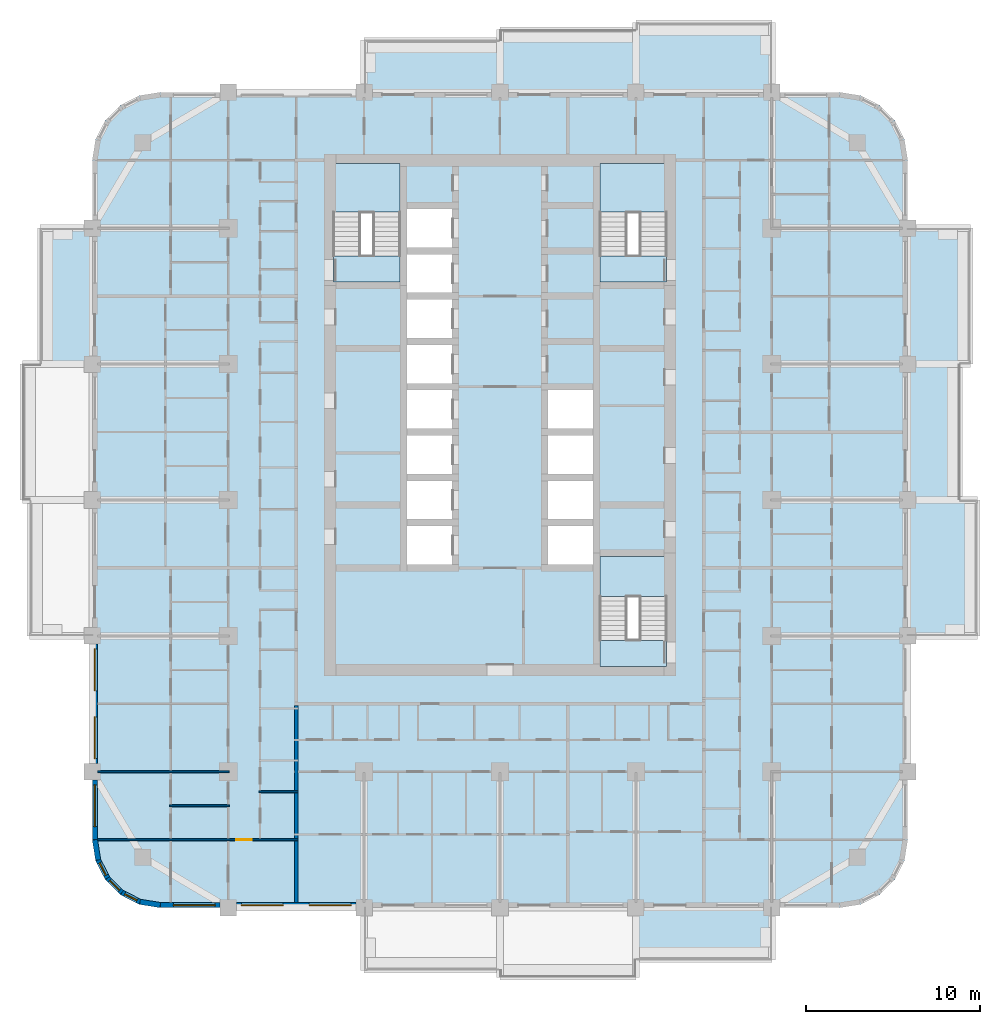
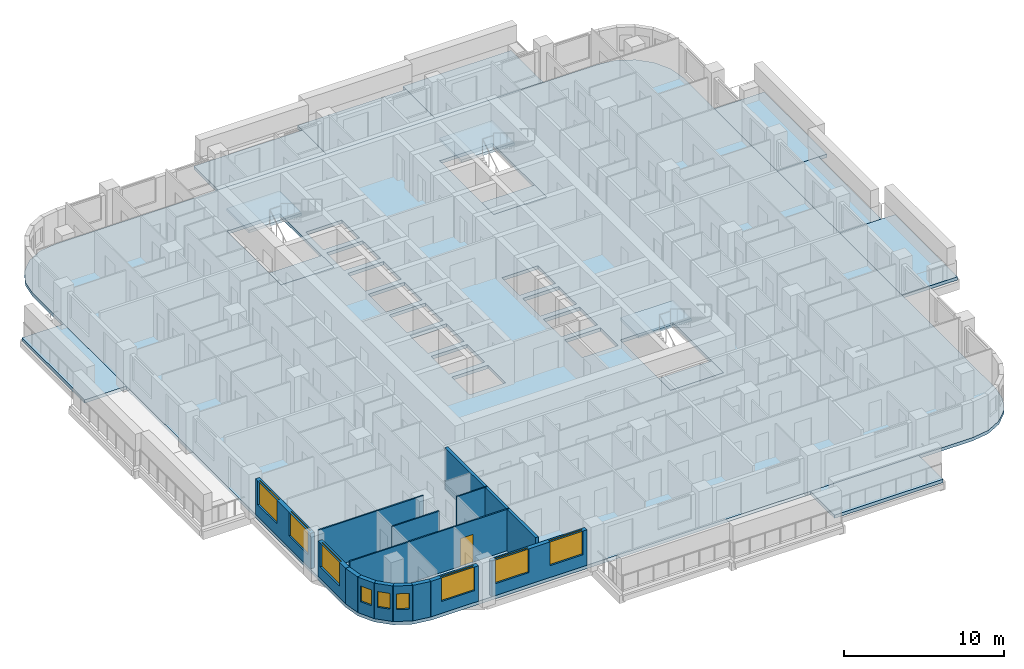
# One storey, part 2 of 17: 15 slabs, 14 walls, 9 windows, 1 door, 10 openings, 3 elements without a shape of their own.
"""IFC4 building model written with IfcOpenShell, lengths in metres."""

from ifc_helpers import new_model, si_unit, direction, frame, frame_2d, origin, place, context, subcontext, project, spatial, polyline, rectangle, outline, extrude, material, layer, layer_set, type_object, element, fill, aggregate, save


model = new_model("IFC4")

# Units and contexts
model_context = context("Model", 3, precision=1e-05, world=origin(), true_north=direction((0.0, 1.0)))
body_context = subcontext(model_context, "Body", "Model", "MODEL_VIEW")
ifc_project = project(units=[si_unit("LENGTHUNIT", "METRE"), si_unit("AREAUNIT", "SQUARE_METRE"), si_unit("VOLUMEUNIT", "CUBIC_METRE"), si_unit("PLANEANGLEUNIT", "RADIAN"), si_unit("MASSUNIT", "GRAM", prefix="KILO")], contexts=[model_context])

# Site, building, storey
site_placement = place(None, origin())
site = spatial("IfcSite", under=ifc_project, at=site_placement, CompositionType="ELEMENT")
building_placement = place(site_placement, origin())
building = spatial("IfcBuilding", under=site, at=building_placement, Name="Ludao Terraces", CompositionType="ELEMENT")
storey_placement = place(building_placement, frame((0.0, 0.0, 88.60009765625)))
storey = spatial("IfcBuildingStorey", under=building, at=storey_placement, Name="L24", CompositionType="ELEMENT", Elevation=88.60009765625)

# Slabs
ifc_material_1 = material(Name="Concrete C40", Category="concrete")
ifc_layer_1 = layer(ifc_material_1, 0.25)
ifc_layer_set_1 = layer_set([ifc_layer_1], Name="Balcony slab 250 C40")
slab_type_1 = type_object("IfcSlabType", Name="Balcony slab 250 C40", PredefinedType="USERDEFINED", material=ifc_layer_set_1)
slab_1_placement = place(storey_placement, frame((0.0, 0.0, -0.25)))
element("IfcSlab", 1, at=slab_1_placement, inside=storey, type_object=slab_type_1, Name="Balcony L24 S4", ObjectType="BALCONY", PredefinedType="USERDEFINED", context=body_context, shape_type="SweptSolid", body=[
    extrude(outline(polyline([(92.800048828125, 38.60009765625), (100.60009765625, 38.60009765625), (100.60009765625, 41.60009765625), (92.800048828125, 41.60009765625), (92.800048828125, 38.60009765625)])), origin(), (0.0, 0.0, 1.0), 0.25),
])
slab_2_placement = place(storey_placement, frame((0.0, 0.0, -0.25)))
element("IfcSlab", 2, at=slab_2_placement, inside=storey, type_object=slab_type_1, Name="Balcony L24 E2", ObjectType="BALCONY", PredefinedType="USERDEFINED", context=body_context, shape_type="SweptSolid", body=[
    extrude(outline(polyline([(108.39990234375, 57.199951171875), (112.39990234375, 57.199951171875), (112.39990234375, 65.0), (108.39990234375, 65.0), (108.39990234375, 57.199951171875)])), origin(), (0.0, 0.0, 1.0), 0.25),
])
slab_3_placement = place(storey_placement, frame((0.0, 0.0, -0.25)))
element("IfcSlab", 3, at=slab_3_placement, inside=storey, type_object=slab_type_1, Name="Balcony L24 E3", ObjectType="BALCONY", PredefinedType="USERDEFINED", context=body_context, shape_type="SweptSolid", body=[
    extrude(outline(polyline([(108.39990234375, 65.0), (111.39990234375, 65.0), (111.39990234375, 72.800048828125), (108.39990234375, 72.800048828125), (108.39990234375, 65.0)])), origin(), (0.0, 0.0, 1.0), 0.25),
])
slab_4_placement = place(storey_placement, frame((0.0, 0.0, -0.25)))
element("IfcSlab", 4, at=slab_4_placement, inside=storey, type_object=slab_type_1, Name="Balcony L24 E4", ObjectType="BALCONY", PredefinedType="USERDEFINED", context=body_context, shape_type="SweptSolid", body=[
    extrude(outline(polyline([(108.39990234375, 72.800048828125), (112.0, 72.800048828125), (112.0, 80.60009765625), (108.39990234375, 80.60009765625), (108.39990234375, 72.800048828125)])), origin(), (0.0, 0.0, 1.0), 0.25),
])
slab_5_placement = place(storey_placement, frame((0.0, 0.0, -0.25)))
element("IfcSlab", 5, at=slab_5_placement, inside=storey, type_object=slab_type_1, Name="Balcony L24 N2", ObjectType="BALCONY", PredefinedType="USERDEFINED", context=body_context, shape_type="SweptSolid", body=[
    extrude(outline(polyline([(77.199951171875, 88.39990234375), (85.0, 88.39990234375), (85.0, 91.39990234375), (77.199951171875, 91.39990234375), (77.199951171875, 88.39990234375)])), origin(), (0.0, 0.0, 1.0), 0.25),
])
slab_6_placement = place(storey_placement, frame((0.0, 0.0, -0.25)))
element("IfcSlab", 6, at=slab_6_placement, inside=storey, type_object=slab_type_1, Name="Balcony L24 N3", ObjectType="BALCONY", PredefinedType="USERDEFINED", context=body_context, shape_type="SweptSolid", body=[
    extrude(outline(polyline([(85.0, 88.39990234375), (92.800048828125, 88.39990234375), (92.800048828125, 92.0), (85.0, 92.0), (85.0, 88.39990234375)])), origin(), (0.0, 0.0, 1.0), 0.25),
])
slab_7_placement = place(storey_placement, frame((0.0, 0.0, -0.25)))
element("IfcSlab", 7, at=slab_7_placement, inside=storey, type_object=slab_type_1, Name="Balcony L24 N4", ObjectType="BALCONY", PredefinedType="USERDEFINED", context=body_context, shape_type="SweptSolid", body=[
    extrude(outline(polyline([(92.800048828125, 88.39990234375), (100.60009765625, 88.39990234375), (100.60009765625, 92.39990234375), (92.800048828125, 92.39990234375), (92.800048828125, 88.39990234375)])), origin(), (0.0, 0.0, 1.0), 0.25),
])
slab_8_placement = place(storey_placement, frame((0.0, 0.0, -0.25)))
element("IfcSlab", 8, at=slab_8_placement, inside=storey, type_object=slab_type_1, Name="Balcony L24 W4", ObjectType="BALCONY", PredefinedType="USERDEFINED", context=body_context, shape_type="SweptSolid", body=[
    extrude(outline(polyline([(58.60009765625, 72.800048828125), (61.60009765625, 72.800048828125), (61.60009765625, 80.60009765625), (58.60009765625, 80.60009765625), (58.60009765625, 72.800048828125)])), origin(), (0.0, 0.0, 1.0), 0.25),
])
ifc_layer_2 = layer(ifc_material_1, 0.25)
ifc_layer_set_2 = layer_set([ifc_layer_2], Name="Floor slab 250 C40")
slab_type_2 = type_object("IfcSlabType", Name="Floor slab 250 C40", PredefinedType="FLOOR", material=ifc_layer_set_2)
slab_9_placement = place(storey_placement, frame((0.0, 0.0, -0.25)))
element("IfcSlab", 9, at=slab_9_placement, inside=storey, type_object=slab_type_2, Name="Slab L24", PredefinedType="FLOOR", context=body_context, shape_type="SweptSolid", body=[
    extrude(outline(polyline([(104.5, 41.60009765625), (105.705078125, 41.790771484375), (106.79248046875, 42.3447265625), (107.6552734375, 43.20751953125), (108.209228515625, 44.294921875), (108.39990234375, 45.5), (108.39990234375, 84.5), (108.209228515625, 85.705078125), (107.6552734375, 86.79248046875), (106.79248046875, 87.6552734375), (105.705078125, 88.209228515625), (104.5, 88.39990234375), (65.5, 88.39990234375), (64.294921875, 88.209228515625), (63.20751953125, 87.6552734375), (62.3447265625, 86.79248046875), (61.790771484375, 85.705078125), (61.60009765625, 84.5), (61.60009765625, 45.5), (61.790771484375, 44.294921875), (62.3447265625, 43.20751953125), (63.20751953125, 42.3447265625), (64.294921875, 41.790771484375), (65.5, 41.60009765625), (104.5, 41.60009765625)]), holes=[polyline([(79.64990234375, 61.300048828125), (82.25, 61.300048828125), (82.25, 63.5), (79.64990234375, 63.5), (79.64990234375, 61.300048828125)]), polyline([(79.64990234375, 63.89990234375), (82.25, 63.89990234375), (82.25, 66.10009765625), (79.64990234375, 66.10009765625), (79.64990234375, 63.89990234375)]), polyline([(79.64990234375, 66.5), (82.25, 66.5), (82.25, 68.699951171875), (79.64990234375, 68.699951171875), (79.64990234375, 66.5)]), polyline([(79.64990234375, 69.10009765625), (82.25, 69.10009765625), (82.25, 71.300048828125), (79.64990234375, 71.300048828125), (79.64990234375, 69.10009765625)]), polyline([(79.64990234375, 71.699951171875), (82.25, 71.699951171875), (82.25, 73.89990234375), (79.64990234375, 73.89990234375), (79.64990234375, 71.699951171875)]), polyline([(79.64990234375, 74.300048828125), (82.25, 74.300048828125), (82.25, 76.5), (79.64990234375, 76.5), (79.64990234375, 74.300048828125)]), polyline([(79.64990234375, 76.89990234375), (82.25, 76.89990234375), (82.25, 79.10009765625), (79.64990234375, 79.10009765625), (79.64990234375, 76.89990234375)]), polyline([(79.64990234375, 79.5), (82.25, 79.5), (82.25, 81.699951171875), (79.64990234375, 81.699951171875), (79.64990234375, 79.5)]), polyline([(87.75, 61.300048828125), (90.35009765625, 61.300048828125), (90.35009765625, 63.5), (87.75, 63.5), (87.75, 61.300048828125)]), polyline([(87.75, 63.89990234375), (90.35009765625, 63.89990234375), (90.35009765625, 66.10009765625), (87.75, 66.10009765625), (87.75, 63.89990234375)]), polyline([(87.75, 66.5), (90.35009765625, 66.5), (90.35009765625, 68.699951171875), (87.75, 68.699951171875), (87.75, 66.5)]), polyline([(87.75, 69.10009765625), (90.35009765625, 69.10009765625), (90.35009765625, 71.300048828125), (87.75, 71.300048828125), (87.75, 69.10009765625)]), polyline([(75.449951171875, 77.5), (79.25, 77.5), (79.25, 84.239990234375), (75.449951171875, 84.239990234375), (75.449951171875, 77.5)]), polyline([(90.75, 77.5), (94.550048828125, 77.5), (94.550048828125, 84.239990234375), (90.75, 84.239990234375), (90.75, 77.5)]), polyline([(90.75, 55.449951171875), (94.550048828125, 55.449951171875), (94.550048828125, 61.75), (90.75, 61.75), (90.75, 55.449951171875)])]), origin(), (0.0, 0.0, 1.0), 0.25),
])

# Stair, slabs
stair_type = type_object("IfcStairType", Name="INT Stair", PredefinedType="HALF_TURN_STAIR", material=ifc_material_1)
stair_1_placement = place(storey_placement, origin())
stair_1 = element("IfcStair", 10, at=stair_1_placement, inside=storey, type_object=stair_type, Name="EXIT STAIR 1", PredefinedType="HALF_TURN_STAIR")
ifc_layer_3 = layer(ifc_material_1, 0.199951171875)
ifc_layer_set_3 = layer_set([ifc_layer_3], Name="INT Stair landing 200")
slab_type_3 = type_object("IfcSlabType", Name="INT Stair landing 200", PredefinedType="LANDING", material=ifc_layer_set_3)
slab_10_placement = place(storey_placement, frame((0.0, 0.0, 1.5)))
slab_10 = element("IfcSlab", 11, at=slab_10_placement, type_object=slab_type_3, Name="ST1 landing 1", PredefinedType="LANDING", context=body_context, shape_type="SweptSolid", body=[
    extrude(outline(polyline([(75.449951171875, 81.52001953125), (79.25, 81.52001953125), (79.25, 84.300048828125), (75.449951171875, 84.300048828125), (75.449951171875, 81.52001953125)])), origin(), (0.0, 0.0, 1.0), 0.199951171875),
])
slab_11_placement = place(storey_placement, frame((0.0, 0.0, -0.2001953125)))
slab_11 = element("IfcSlab", 12, at=slab_11_placement, type_object=slab_type_3, Name="ST1 landing 2", PredefinedType="LANDING", context=body_context, shape_type="SweptSolid", body=[
    extrude(outline(polyline([(75.449951171875, 77.5), (79.25, 77.5), (79.25, 79.0), (75.449951171875, 79.0), (75.449951171875, 77.5)])), origin(), (0.0, 0.0, 1.0), 0.2001953125),
])
aggregate(stair_1, [slab_10, slab_11])

stair_2_placement = place(storey_placement, origin())
stair_2 = element("IfcStair", 13, at=stair_2_placement, inside=storey, type_object=stair_type, Name="EXIT STAIR 2", PredefinedType="HALF_TURN_STAIR")
slab_12_placement = place(storey_placement, frame((0.0, 0.0, 1.5)))
slab_12 = element("IfcSlab", 14, at=slab_12_placement, type_object=slab_type_3, Name="ST2 landing 1", PredefinedType="LANDING", context=body_context, shape_type="SweptSolid", body=[
    extrude(outline(polyline([(90.75, 81.52001953125), (94.550048828125, 81.52001953125), (94.550048828125, 84.300048828125), (90.75, 84.300048828125), (90.75, 81.52001953125)])), origin(), (0.0, 0.0, 1.0), 0.199951171875),
])
slab_13_placement = place(storey_placement, frame((0.0, 0.0, -0.2001953125)))
slab_13 = element("IfcSlab", 15, at=slab_13_placement, type_object=slab_type_3, Name="ST2 landing 2", PredefinedType="LANDING", context=body_context, shape_type="SweptSolid", body=[
    extrude(outline(polyline([(90.75, 77.5), (94.550048828125, 77.5), (94.550048828125, 79.0), (90.75, 79.0), (90.75, 77.5)])), origin(), (0.0, 0.0, 1.0), 0.2001953125),
])
aggregate(stair_2, [slab_12, slab_13])

stair_3_placement = place(storey_placement, origin())
stair_3 = element("IfcStair", 16, at=stair_3_placement, inside=storey, type_object=stair_type, Name="EXIT STAIR 3", PredefinedType="HALF_TURN_STAIR")
slab_14_placement = place(storey_placement, frame((0.0, 0.0, 1.5)))
slab_14 = element("IfcSlab", 17, at=slab_14_placement, type_object=slab_type_3, Name="ST3 landing 1", PredefinedType="LANDING", context=body_context, shape_type="SweptSolid", body=[
    extrude(outline(polyline([(90.75, 59.469970703125), (94.550048828125, 59.469970703125), (94.550048828125, 61.75), (90.75, 61.75), (90.75, 59.469970703125)])), origin(), (0.0, 0.0, 1.0), 0.199951171875),
])
slab_15_placement = place(storey_placement, frame((0.0, 0.0, -0.2001953125)))
slab_15 = element("IfcSlab", 18, at=slab_15_placement, type_object=slab_type_3, Name="ST3 landing 2", PredefinedType="LANDING", context=body_context, shape_type="SweptSolid", body=[
    extrude(outline(polyline([(90.75, 55.449951171875), (94.550048828125, 55.449951171875), (94.550048828125, 56.949951171875), (90.75, 56.949951171875), (90.75, 55.449951171875)])), origin(), (0.0, 0.0, 1.0), 0.2001953125),
])
aggregate(stair_3, [slab_14, slab_15])

# Wall, opening, window
ifc_material_2 = material(Name="Granite cladding", Category="masonry")
ifc_layer_4 = layer(ifc_material_2, 0.0400390625, Category="stone")
ifc_material_3 = material(Name="Mineral wool")
ifc_layer_5 = layer(ifc_material_3, 0.06005859375)
ifc_layer_6 = layer(ifc_material_1, 0.199951171875, Category="concrete")
ifc_layer_set_4 = layer_set([ifc_layer_4, ifc_layer_5, ifc_layer_6], Name="ENV Stone-clad wall 300")
wall_type_1 = type_object("IfcWallType", Name="ENV Stone-clad wall 300", PredefinedType="SOLIDWALL", material=ifc_layer_set_4)
wall_1_placement = place(storey_placement, frame((65.5, 41.75, 0.0), z_axis=(0.0, 0.0, 1.0), x_axis=(1.0, 0.0, 0.0)))
wall_1 = element("IfcWall", 19, at=wall_1_placement, inside=storey, type_object=wall_type_1, Name="EW-L24-S1", PredefinedType="SOLIDWALL", context=body_context, shape_type="SweptSolid", body=[
    extrude(rectangle(XDim=3.425048828125, YDim=0.300048828125, at=frame_2d((1.71240234375, 0.0))), origin(), (0.0, 0.0, 1.0), 2.699951171875),
])
opening_1_placement = place(wall_1_placement, frame((0.75, 0.0, 0.89990234375)))
opening_1 = element("IfcOpeningElement", 20, at=opening_1_placement, cuts=wall_1, Name="Opening W1", PredefinedType="OPENING", context=body_context, shape_type="SweptSolid", body=[
    extrude(rectangle(XDim=2.39990234375, YDim=1.800048828125, at=frame_2d((1.199951171875, 0.89990234375))), frame((0.0, 0.16015625, 0.0), z_axis=(0.0, -1.0, 0.0), x_axis=(1.0, 0.0, 0.0)), (0.0, 0.0, 1.0), 0.320068359375),
])
ifc_material_4 = material(Name="Clear glass in aluminium frame", Category="aluminium")
ifc_layer_7 = layer(ifc_material_4, 0.06005859375)
ifc_layer_set_5 = layer_set([ifc_layer_7], Name="ENV Window W1 2400x1800")
window_type_1 = type_object("IfcWindowType", Name="ENV Window W1 2400x1800", PartitioningType="DOUBLE_PANEL_VERTICAL", PredefinedType="WINDOW", material=ifc_layer_set_5)
window_1_placement = place(opening_1_placement, origin())
window_1 = element("IfcWindow", 21, at=window_1_placement, inside=storey, type_object=window_type_1, Name="W-L24-S1-1", OverallHeight=1.800048828125, OverallWidth=2.39990234375, PartitioningType="DOUBLE_PANEL_VERTICAL", PredefinedType="WINDOW", context=body_context, shape_type="SweptSolid", body=[
    extrude(rectangle(XDim=2.39990234375, YDim=1.800048828125, at=frame_2d((1.199951171875, 0.89990234375))), frame((0.0, 0.030029296875, 0.0), z_axis=(0.0, -1.0, 0.0), x_axis=(1.0, 0.0, 0.0)), (0.0, 0.0, 1.0), 0.06005859375),
])
fill(opening_1, window_1)

# Wall, openings, windows
wall_2_placement = place(storey_placement, frame((69.875, 41.75, 0.0), z_axis=(0.0, 0.0, 1.0), x_axis=(1.0, 0.0, 0.0)))
wall_2 = element("IfcWall", 22, at=wall_2_placement, inside=storey, type_object=wall_type_1, Name="EW-L24-S2", PredefinedType="SOLIDWALL", context=body_context, shape_type="SweptSolid", body=[
    extrude(rectangle(XDim=6.85009765625, YDim=0.300048828125, at=frame_2d((3.425048828125, 0.0))), origin(), (0.0, 0.0, 1.0), 2.699951171875),
])
opening_2_placement = place(wall_2_placement, frame((0.27490234375, 0.0, 0.89990234375)))
opening_2 = element("IfcOpeningElement", 23, at=opening_2_placement, cuts=wall_2, Name="Opening W1", PredefinedType="OPENING", context=body_context, shape_type="SweptSolid", body=[
    extrude(rectangle(XDim=2.39990234375, YDim=1.800048828125, at=frame_2d((1.199951171875, 0.89990234375))), frame((0.0, 0.16015625, 0.0), z_axis=(0.0, -1.0, 0.0), x_axis=(1.0, 0.0, 0.0)), (0.0, 0.0, 1.0), 0.320068359375),
])
opening_3_placement = place(wall_2_placement, frame((4.175048828125, 0.0, 0.89990234375)))
opening_3 = element("IfcOpeningElement", 24, at=opening_3_placement, cuts=wall_2, Name="Opening W1", PredefinedType="OPENING", context=body_context, shape_type="SweptSolid", body=[
    extrude(rectangle(XDim=2.39990234375, YDim=1.800048828125, at=frame_2d((1.199951171875, 0.89990234375))), frame((0.0, 0.16015625, 0.0), z_axis=(0.0, -1.0, 0.0), x_axis=(1.0, 0.0, 0.0)), (0.0, 0.0, 1.0), 0.320068359375),
])
window_2_placement = place(opening_2_placement, origin())
window_2 = element("IfcWindow", 25, at=window_2_placement, inside=storey, type_object=window_type_1, Name="W-L24-S2-1", OverallHeight=1.800048828125, OverallWidth=2.39990234375, PartitioningType="DOUBLE_PANEL_VERTICAL", PredefinedType="WINDOW", context=body_context, shape_type="SweptSolid", body=[
    extrude(rectangle(XDim=2.39990234375, YDim=1.800048828125, at=frame_2d((1.199951171875, 0.89990234375))), frame((0.0, 0.030029296875, 0.0), z_axis=(0.0, -1.0, 0.0), x_axis=(1.0, 0.0, 0.0)), (0.0, 0.0, 1.0), 0.06005859375),
])
fill(opening_2, window_2)
window_3_placement = place(opening_3_placement, origin())
window_3 = element("IfcWindow", 26, at=window_3_placement, inside=storey, type_object=window_type_1, Name="W-L24-S2-2", OverallHeight=1.800048828125, OverallWidth=2.39990234375, PartitioningType="DOUBLE_PANEL_VERTICAL", PredefinedType="WINDOW", context=body_context, shape_type="SweptSolid", body=[
    extrude(rectangle(XDim=2.39990234375, YDim=1.800048828125, at=frame_2d((1.199951171875, 0.89990234375))), frame((0.0, 0.030029296875, 0.0), z_axis=(0.0, -1.0, 0.0), x_axis=(1.0, 0.0, 0.0)), (0.0, 0.0, 1.0), 0.06005859375),
])
fill(opening_3, window_3)

# Wall, opening, window
wall_3_placement = place(storey_placement, frame((61.75, 45.5, 0.0), z_axis=(0.0, 0.0, 1.0), x_axis=(0.0, 1.0, 0.0)))
wall_3 = element("IfcWall", 27, at=wall_3_placement, inside=storey, type_object=wall_type_1, Name="EW-L24-W1", PredefinedType="SOLIDWALL", context=body_context, shape_type="SweptSolid", body=[
    extrude(rectangle(XDim=3.425048828125, YDim=0.300048828125, at=frame_2d((1.71240234375, 0.0))), origin(), (0.0, 0.0, 1.0), 2.699951171875),
])
opening_4_placement = place(wall_3_placement, frame((0.75, 0.0, 0.89990234375)))
opening_4 = element("IfcOpeningElement", 28, at=opening_4_placement, cuts=wall_3, Name="Opening W1", PredefinedType="OPENING", context=body_context, shape_type="SweptSolid", body=[
    extrude(rectangle(XDim=2.39990234375, YDim=1.800048828125, at=frame_2d((1.199951171875, 0.89990234375))), frame((0.0, 0.16015625, 0.0), z_axis=(0.0, -1.0, 0.0), x_axis=(1.0, 0.0, 0.0)), (0.0, 0.0, 1.0), 0.320068359375),
])
window_4_placement = place(opening_4_placement, origin())
window_4 = element("IfcWindow", 29, at=window_4_placement, inside=storey, type_object=window_type_1, Name="W-L24-W1-1", OverallHeight=1.800048828125, OverallWidth=2.39990234375, PartitioningType="DOUBLE_PANEL_VERTICAL", PredefinedType="WINDOW", context=body_context, shape_type="SweptSolid", body=[
    extrude(rectangle(XDim=2.39990234375, YDim=1.800048828125, at=frame_2d((1.199951171875, 0.89990234375))), frame((0.0, 0.030029296875, 0.0), z_axis=(0.0, -1.0, 0.0), x_axis=(1.0, 0.0, 0.0)), (0.0, 0.0, 1.0), 0.06005859375),
])
fill(opening_4, window_4)

# Wall, openings, windows
wall_4_placement = place(storey_placement, frame((61.75, 49.875, 0.0), z_axis=(0.0, 0.0, 1.0), x_axis=(0.0, 1.0, 0.0)))
wall_4 = element("IfcWall", 30, at=wall_4_placement, inside=storey, type_object=wall_type_1, Name="EW-L24-W2", PredefinedType="SOLIDWALL", context=body_context, shape_type="SweptSolid", body=[
    extrude(rectangle(XDim=6.85009765625, YDim=0.300048828125, at=frame_2d((3.425048828125, 0.0))), origin(), (0.0, 0.0, 1.0), 2.699951171875),
])
opening_5_placement = place(wall_4_placement, frame((0.27490234375, 0.0, 0.89990234375)))
opening_5 = element("IfcOpeningElement", 31, at=opening_5_placement, cuts=wall_4, Name="Opening W1", PredefinedType="OPENING", context=body_context, shape_type="SweptSolid", body=[
    extrude(rectangle(XDim=2.39990234375, YDim=1.800048828125, at=frame_2d((1.199951171875, 0.89990234375))), frame((0.0, 0.16015625, 0.0), z_axis=(0.0, -1.0, 0.0), x_axis=(1.0, 0.0, 0.0)), (0.0, 0.0, 1.0), 0.320068359375),
])
opening_6_placement = place(wall_4_placement, frame((4.175048828125, 0.0, 0.89990234375)))
opening_6 = element("IfcOpeningElement", 32, at=opening_6_placement, cuts=wall_4, Name="Opening W1", PredefinedType="OPENING", context=body_context, shape_type="SweptSolid", body=[
    extrude(rectangle(XDim=2.39990234375, YDim=1.800048828125, at=frame_2d((1.199951171875, 0.89990234375))), frame((0.0, 0.16015625, 0.0), z_axis=(0.0, -1.0, 0.0), x_axis=(1.0, 0.0, 0.0)), (0.0, 0.0, 1.0), 0.320068359375),
])
window_5_placement = place(opening_5_placement, origin())
window_5 = element("IfcWindow", 33, at=window_5_placement, inside=storey, type_object=window_type_1, Name="W-L24-W2-1", OverallHeight=1.800048828125, OverallWidth=2.39990234375, PartitioningType="DOUBLE_PANEL_VERTICAL", PredefinedType="WINDOW", context=body_context, shape_type="SweptSolid", body=[
    extrude(rectangle(XDim=2.39990234375, YDim=1.800048828125, at=frame_2d((1.199951171875, 0.89990234375))), frame((0.0, 0.030029296875, 0.0), z_axis=(0.0, -1.0, 0.0), x_axis=(1.0, 0.0, 0.0)), (0.0, 0.0, 1.0), 0.06005859375),
])
fill(opening_5, window_5)
window_6_placement = place(opening_6_placement, origin())
window_6 = element("IfcWindow", 34, at=window_6_placement, inside=storey, type_object=window_type_1, Name="W-L24-W2-2", OverallHeight=1.800048828125, OverallWidth=2.39990234375, PartitioningType="DOUBLE_PANEL_VERTICAL", PredefinedType="WINDOW", context=body_context, shape_type="SweptSolid", body=[
    extrude(rectangle(XDim=2.39990234375, YDim=1.800048828125, at=frame_2d((1.199951171875, 0.89990234375))), frame((0.0, 0.030029296875, 0.0), z_axis=(0.0, -1.0, 0.0), x_axis=(1.0, 0.0, 0.0)), (0.0, 0.0, 1.0), 0.06005859375),
])
fill(opening_6, window_6)

# Wall
wall_5_placement = place(storey_placement, frame((61.75, 45.5, 0.0), z_axis=(0.0, 0.0, 1.0), x_axis=(0.156496880861, -0.987678452879, 0.0)))
element("IfcWall", 35, at=wall_5_placement, inside=storey, type_object=wall_type_1, Name="EW-L24-SW1", PredefinedType="SOLIDWALL", context=body_context, shape_type="SweptSolid", body=[
    extrude(rectangle(XDim=1.173095703125, YDim=0.300048828125, at=frame_2d((0.58642578125, 0.0))), origin(), (0.0, 0.0, 1.0), 2.699951171875),
])

# Wall, opening, window
wall_6_placement = place(storey_placement, frame((61.93359375, 44.34130859375, 0.0), z_axis=(0.0, 0.0, 1.0), x_axis=(0.454025524128, -0.890988677504, 0.0)))
wall_6 = element("IfcWall", 36, at=wall_6_placement, inside=storey, type_object=wall_type_1, Name="EW-L24-SW2", PredefinedType="SOLIDWALL", context=body_context, shape_type="SweptSolid", body=[
    extrude(rectangle(XDim=1.17333984375, YDim=0.300048828125, at=frame_2d((0.586669921875, 0.0))), origin(), (0.0, 0.0, 1.0), 2.699951171875),
])
opening_7_placement = place(wall_6_placement, frame((0.1865234375, 0.0, 0.89990234375)))
opening_7 = element("IfcOpeningElement", 37, at=opening_7_placement, cuts=wall_6, Name="Opening W3", PredefinedType="OPENING", context=body_context, shape_type="SweptSolid", body=[
    extrude(rectangle(XDim=0.800048828125, YDim=1.199951171875, at=frame_2d((0.39990234375, 0.60009765625))), frame((0.0, 0.16015625, 0.0), z_axis=(0.0, -1.0, 0.0), x_axis=(1.0, 0.0, 0.0)), (0.0, 0.0, 1.0), 0.320068359375),
])
ifc_layer_8 = layer(ifc_material_4, 0.06005859375)
ifc_layer_set_6 = layer_set([ifc_layer_8], Name="ENV Window W3 800x1200")
window_type_2 = type_object("IfcWindowType", Name="ENV Window W3 800x1200", PartitioningType="SINGLE_PANEL", PredefinedType="WINDOW", material=ifc_layer_set_6)
window_7_placement = place(opening_7_placement, origin())
window_7 = element("IfcWindow", 38, at=window_7_placement, inside=storey, type_object=window_type_2, Name="W-L24-SW2", OverallHeight=1.199951171875, OverallWidth=0.800048828125, PartitioningType="SINGLE_PANEL", PredefinedType="WINDOW", context=body_context, shape_type="SweptSolid", body=[
    extrude(rectangle(XDim=0.800048828125, YDim=1.199951171875, at=frame_2d((0.39990234375, 0.60009765625))), frame((0.0, 0.030029296875, 0.0), z_axis=(0.0, -1.0, 0.0), x_axis=(1.0, 0.0, 0.0)), (0.0, 0.0, 1.0), 0.06005859375),
])
fill(opening_7, window_7)

wall_7_placement = place(storey_placement, frame((62.46630859375, 43.2958984375, 0.0), z_axis=(0.0, 0.0, 1.0), x_axis=(0.707106781187, -0.707106781187, 0.0)))
wall_7 = element("IfcWall", 39, at=wall_7_placement, inside=storey, type_object=wall_type_1, Name="EW-L24-SW3", PredefinedType="SOLIDWALL", context=body_context, shape_type="SweptSolid", body=[
    extrude(rectangle(XDim=1.173095703125, YDim=0.300048828125, at=frame_2d((0.58642578125, 0.0))), origin(), (0.0, 0.0, 1.0), 2.699951171875),
])
opening_8_placement = place(wall_7_placement, frame((0.1865234375, 0.0, 0.89990234375)))
opening_8 = element("IfcOpeningElement", 40, at=opening_8_placement, cuts=wall_7, Name="Opening W3", PredefinedType="OPENING", context=body_context, shape_type="SweptSolid", body=[
    extrude(rectangle(XDim=0.800048828125, YDim=1.199951171875, at=frame_2d((0.39990234375, 0.60009765625))), frame((0.0, 0.16015625, 0.0), z_axis=(0.0, -1.0, 0.0), x_axis=(1.0, 0.0, 0.0)), (0.0, 0.0, 1.0), 0.320068359375),
])
window_8_placement = place(opening_8_placement, origin())
window_8 = element("IfcWindow", 41, at=window_8_placement, inside=storey, type_object=window_type_2, Name="W-L24-SW3", OverallHeight=1.199951171875, OverallWidth=0.800048828125, PartitioningType="SINGLE_PANEL", PredefinedType="WINDOW", context=body_context, shape_type="SweptSolid", body=[
    extrude(rectangle(XDim=0.800048828125, YDim=1.199951171875, at=frame_2d((0.39990234375, 0.60009765625))), frame((0.0, 0.030029296875, 0.0), z_axis=(0.0, -1.0, 0.0), x_axis=(1.0, 0.0, 0.0)), (0.0, 0.0, 1.0), 0.06005859375),
])
fill(opening_8, window_8)

wall_8_placement = place(storey_placement, frame((63.2958984375, 42.46630859375, 0.0), z_axis=(0.0, 0.0, 1.0), x_axis=(0.890988677504, -0.454025524128, 0.0)))
wall_8 = element("IfcWall", 42, at=wall_8_placement, inside=storey, type_object=wall_type_1, Name="EW-L24-SW4", PredefinedType="SOLIDWALL", context=body_context, shape_type="SweptSolid", body=[
    extrude(rectangle(XDim=1.17333984375, YDim=0.300048828125, at=frame_2d((0.586669921875, 0.0))), origin(), (0.0, 0.0, 1.0), 2.699951171875),
])
opening_9_placement = place(wall_8_placement, frame((0.1865234375, 0.0, 0.89990234375)))
opening_9 = element("IfcOpeningElement", 43, at=opening_9_placement, cuts=wall_8, Name="Opening W3", PredefinedType="OPENING", context=body_context, shape_type="SweptSolid", body=[
    extrude(rectangle(XDim=0.800048828125, YDim=1.199951171875, at=frame_2d((0.39990234375, 0.60009765625))), frame((0.0, 0.16015625, 0.0), z_axis=(0.0, -1.0, 0.0), x_axis=(1.0, 0.0, 0.0)), (0.0, 0.0, 1.0), 0.320068359375),
])
window_9_placement = place(opening_9_placement, origin())
window_9 = element("IfcWindow", 44, at=window_9_placement, inside=storey, type_object=window_type_2, Name="W-L24-SW4", OverallHeight=1.199951171875, OverallWidth=0.800048828125, PartitioningType="SINGLE_PANEL", PredefinedType="WINDOW", context=body_context, shape_type="SweptSolid", body=[
    extrude(rectangle(XDim=0.800048828125, YDim=1.199951171875, at=frame_2d((0.39990234375, 0.60009765625))), frame((0.0, 0.030029296875, 0.0), z_axis=(0.0, -1.0, 0.0), x_axis=(1.0, 0.0, 0.0)), (0.0, 0.0, 1.0), 0.06005859375),
])
fill(opening_9, window_9)

# Wall
wall_9_placement = place(storey_placement, frame((64.34130859375, 41.93359375, 0.0), z_axis=(0.0, 0.0, 1.0), x_axis=(0.987678452879, -0.156496880861, 0.0)))
element("IfcWall", 45, at=wall_9_placement, inside=storey, type_object=wall_type_1, Name="EW-L24-SW5", PredefinedType="SOLIDWALL", context=body_context, shape_type="SweptSolid", body=[
    extrude(rectangle(XDim=1.173095703125, YDim=0.300048828125, at=frame_2d((0.58642578125, 0.0))), origin(), (0.0, 0.0, 1.0), 2.699951171875),
])

# Wall, opening, door
ifc_material_5 = material(Name="Gypsum plasterboard", Category="gypsum")
ifc_layer_9 = layer(ifc_material_5, 0.012451171875, Category="gypsum")
ifc_layer_10 = layer(ifc_material_3, 0.06005859375, Name="insulation")
ifc_material_6 = material(Name="Steel Q235", Category="steel")
ifc_layer_11 = layer(ifc_material_6, 0.014892578125, Name="stud")
ifc_layer_12 = layer(ifc_material_5, 0.012451171875, Category="gypsum")
ifc_layer_set_7 = layer_set([ifc_layer_9, ifc_layer_10, ifc_layer_11, ifc_layer_12], Name="INT Partition 100")
wall_type_2 = type_object("IfcWallType", Name="INT Partition 100", PredefinedType="PARTITIONING", material=ifc_layer_set_7)
wall_10_placement = place(storey_placement, frame((61.900146484375, 45.5, 0.0), z_axis=(0.0, 0.0, 1.0), x_axis=(1.0, 0.0, 0.0)))
wall_10 = element("IfcWall", 46, at=wall_10_placement, inside=storey, type_object=wall_type_2, Name="PW-L24-PW000", PredefinedType="PARTITIONING", context=body_context, shape_type="SweptSolid", body=[
    extrude(rectangle(XDim=11.5, YDim=0.10009765625, at=frame_2d((5.75, 0.0))), origin(), (0.0, 0.0, 1.0), 3.14990234375),
])
opening_10_placement = place(wall_10_placement, frame((7.965087890625, 0.0, 0.0)))
opening_10 = element("IfcOpeningElement", 47, at=opening_10_placement, cuts=wall_10, Name="Opening R07-005", PredefinedType="OPENING", context=body_context, shape_type="SweptSolid", body=[
    extrude(rectangle(XDim=0.89990234375, YDim=2.10009765625, at=frame_2d((0.449951171875, 1.050048828125))), frame((0.0, 0.06005859375, 0.0), z_axis=(0.0, -1.0, 0.0), x_axis=(1.0, 0.0, 0.0)), (0.0, 0.0, 1.0), 0.1201171875),
])
ifc_material_7 = material(Name="Timber door leaf", Category="wood")
door_type = type_object("IfcDoorType", Name="INT Room door 900", OperationType="SINGLE_SWING_LEFT", PredefinedType="DOOR", material=ifc_material_7)
door_placement = place(opening_10_placement, origin())
door = element("IfcDoor", 48, at=door_placement, inside=storey, type_object=door_type, Name="DOOR 005", OperationType="SINGLE_SWING_RIGHT", OverallHeight=2.10009765625, OverallWidth=0.89990234375, PredefinedType="DOOR", context=body_context, shape_type="SweptSolid", body=[
    extrude(rectangle(XDim=0.89990234375, YDim=2.10009765625, at=frame_2d((0.449951171875, 1.050048828125))), frame((0.0, 0.02490234375, 0.0), z_axis=(0.0, -1.0, 0.0), x_axis=(1.0, 0.0, 0.0)), (0.0, 0.0, 1.0), 0.050048828125),
])
fill(opening_10, door)

# Walls
wall_11_placement = place(storey_placement, frame((66.050048828125, 47.449951171875, 0.0), z_axis=(0.0, 0.0, 1.0), x_axis=(1.0, 0.0, 0.0)))
element("IfcWall", 49, at=wall_11_placement, inside=storey, type_object=wall_type_2, Name="PW-L24-PW005", PredefinedType="PARTITIONING", context=body_context, shape_type="SweptSolid", body=[
    extrude(rectangle(XDim=3.400146484375, YDim=0.10009765625, at=frame_2d((1.7001953125, 0.0))), origin(), (0.0, 0.0, 1.0), 3.14990234375),
])
wall_12_placement = place(storey_placement, frame((71.18017578125, 48.25, 0.0), z_axis=(0.0, 0.0, 1.0), x_axis=(1.0, 0.0, 0.0)))
element("IfcWall", 50, at=wall_12_placement, inside=storey, type_object=wall_type_2, Name="PW-L24-PW006", PredefinedType="PARTITIONING", context=body_context, shape_type="SweptSolid", body=[
    extrude(rectangle(XDim=2.219970703125, YDim=0.10009765625, at=frame_2d((1.10986328125, 0.0))), origin(), (0.0, 0.0, 1.0), 3.14990234375),
])
wall_13_placement = place(storey_placement, frame((61.900146484375, 49.39990234375, 0.0), z_axis=(0.0, 0.0, 1.0), x_axis=(1.0, 0.0, 0.0)))
element("IfcWall", 51, at=wall_13_placement, inside=storey, type_object=wall_type_2, Name="PW-L24-PW007", PredefinedType="PARTITIONING", context=body_context, shape_type="SweptSolid", body=[
    extrude(rectangle(XDim=7.550048828125, YDim=0.10009765625, at=frame_2d((3.77490234375, 0.0))), origin(), (0.0, 0.0, 1.0), 3.14990234375),
])
ifc_material_8 = material(Name="Autoclaved aerated concrete block B06 A3.5", Category="concrete")
ifc_layer_13 = layer(ifc_material_8, 0.199951171875)
ifc_layer_set_8 = layer_set([ifc_layer_13], Name="INT Party wall 200")
wall_type_3 = type_object("IfcWallType", Name="INT Party wall 200", PredefinedType="PARTITIONING", material=ifc_layer_set_8)
wall_14_placement = place(storey_placement, frame((73.300048828125, 41.900146484375, 0.0), z_axis=(0.0, 0.0, 1.0), x_axis=(0.0, 1.0, 0.0)))
element("IfcWall", 52, at=wall_14_placement, inside=storey, type_object=wall_type_3, Name="PW-L24-PW087", PredefinedType="PARTITIONING", context=body_context, shape_type="SweptSolid", body=[
    extrude(rectangle(XDim=11.300048828125, YDim=0.199951171875, at=frame_2d((5.64990234375, 0.0))), origin(), (0.0, 0.0, 1.0), 3.14990234375),
])

save(model, "model.ifc")
